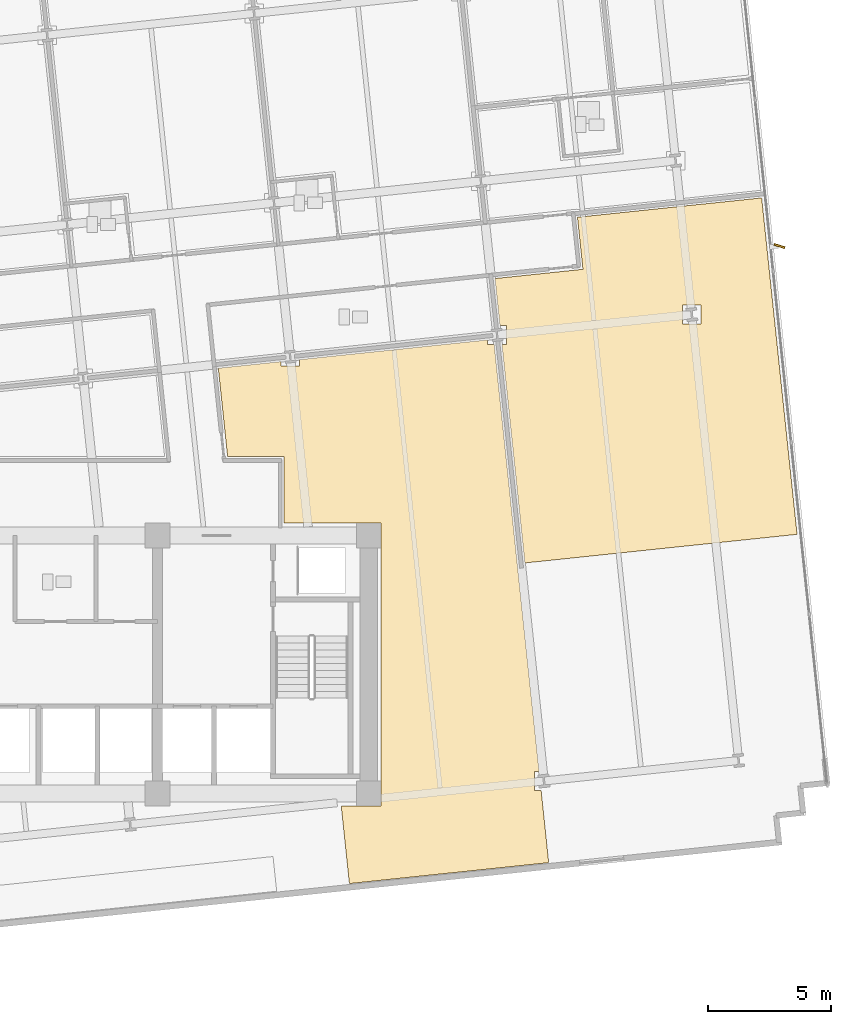
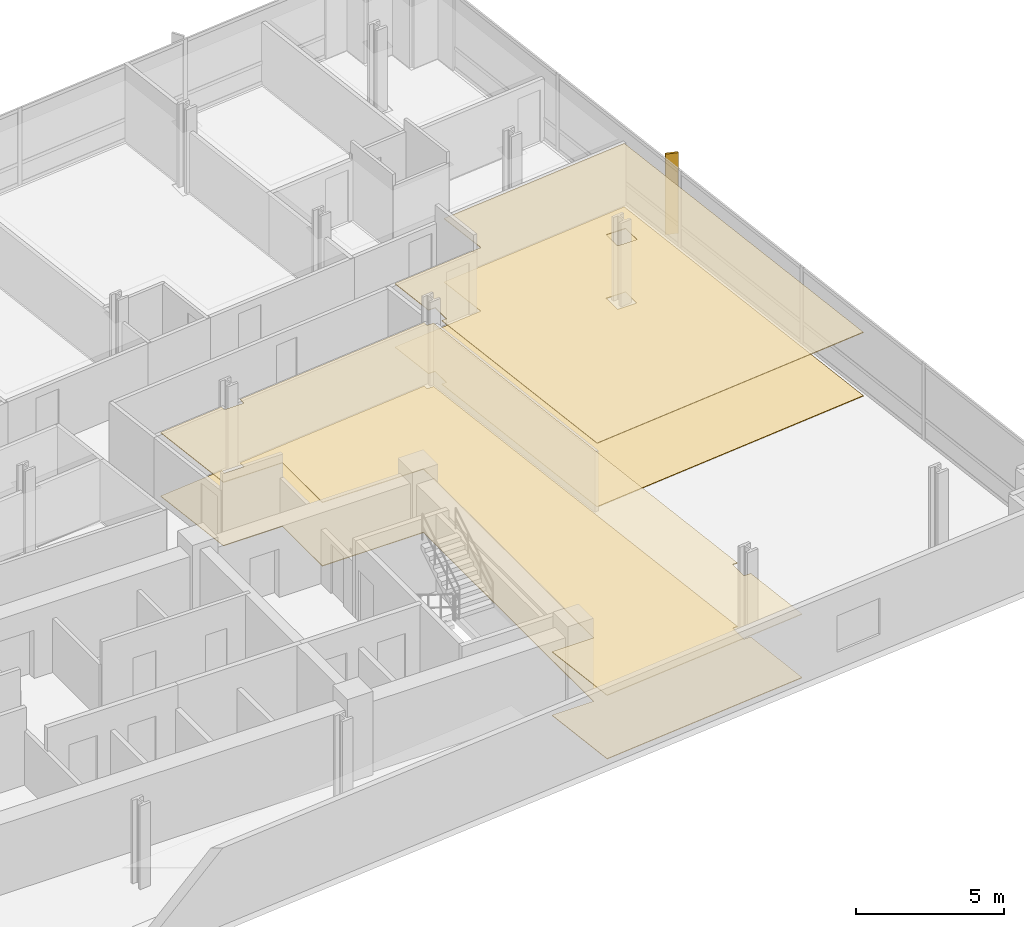
# One storey, part 16 of 18: 4 coverings, 1 shading device.
"""IFC4 building model written with IfcOpenShell, lengths in metres."""

from ifc_helpers import new_model, si_unit, direction, frame, origin, origin_2d, place, context, subcontext, project, spatial, polyline, rectangle, outline, extrude, material, layer, layer_set, type_object, element, save


model = new_model("IFC4")

# Units and contexts
model_context = context("Model", 3, precision=1e-05, world=origin(), true_north=direction((0.0, 1.0)))
body_context = subcontext(model_context, "Body", "Model", "MODEL_VIEW")
ifc_project = project(units=[si_unit("LENGTHUNIT", "METRE"), si_unit("AREAUNIT", "SQUARE_METRE"), si_unit("VOLUMEUNIT", "CUBIC_METRE"), si_unit("PLANEANGLEUNIT", "RADIAN"), si_unit("MASSUNIT", "GRAM", prefix="KILO")], contexts=[model_context])

# Site, building, storey
site_placement = place(None, origin())
site = spatial("IfcSite", under=ifc_project, at=site_placement, CompositionType="ELEMENT")
building_placement = place(site_placement, origin())
building = spatial("IfcBuilding", under=site, at=building_placement, Name="Solmavex Isthmus Hotel", CompositionType="ELEMENT")
storey_placement = place(building_placement, frame((0.0, 0.0, 123.60009765625)))
storey = spatial("IfcBuildingStorey", under=building, at=storey_placement, Name="L33", CompositionType="ELEMENT", Elevation=123.60009765625)

# Coverings
ifc_material_1 = material(Name="Gypsum plasterboard lining", Category="gypsum")
ifc_layer_1 = layer(ifc_material_1, 0.030029296875)
ifc_layer_set_1 = layer_set([ifc_layer_1], Name="Gypsum plasterboard lining")
covering_type_1 = type_object("IfcCoveringType", Name="COV-CEIL-GYP", PredefinedType="CEILING", material=ifc_layer_set_1)
covering_1_placement = place(storey_placement, frame((0.0, 0.0, 2.619873046875)))
element("IfcCovering", 1, at=covering_1_placement, inside=storey, type_object=covering_type_1, Name="Suspended Acoustic Ceiling L33-FL12", PredefinedType="CEILING", context=body_context, shape_type="SweptSolid", body=[
    extrude(outline(polyline([(21.335693359375, 6.038330078125), (21.599609375, 6.038330078125), (21.599609375, 5.2783203125), (21.41552734375, 5.2783203125), (21.93310546875, 0.353759765625), (22.3505859375, -3.619140625), (33.427734375, -2.455078125), (33.010009765625, 1.51806640625), (32.450927734375, 6.8388671875), (31.98828125, 11.239501953125), (24.49169921875, 10.45166015625), (24.71435546875, 8.333251953125), (21.134033203125, 7.95703125), (21.335693359375, 6.038330078125)]), holes=[polyline([(28.76416015625, 6.111328125), (28.76416015625, 6.871337890625), (29.524169921875, 6.871337890625), (29.524169921875, 6.111328125), (28.76416015625, 6.111328125)])]), origin(), (0.0, 0.0, 1.0), 0.030029296875),
])
covering_2_placement = place(storey_placement, frame((0.0, 0.0, 2.619873046875)))
element("IfcCovering", 2, at=covering_2_placement, inside=storey, type_object=covering_type_1, Name="Suspended Acoustic Ceiling L33-FL13", PredefinedType="CEILING", context=body_context, shape_type="SweptSolid", body=[
    extrude(outline(polyline([(13.18017578125, 4.657470703125), (13.18017578125, 4.393310546875), (12.420166015625, 4.393310546875), (12.420166015625, 4.57763671875), (9.87451171875, 4.31005859375), (10.25341796875, 0.705078125), (12.554931640625, 0.705078125), (12.554931640625, -1.9951171875), (16.5048828125, -1.9951171875), (16.5048828125, -13.5048828125), (14.877197265625, -13.5048828125), (15.044921875, -15.100830078125), (15.20947265625, -16.667236328125), (23.32080078125, -15.814697265625), (23.15625, -14.248291015625), (23.011474609375, -12.87158203125), (22.747314453125, -12.87158203125), (22.747314453125, -12.111572265625), (22.931640625, -12.111572265625), (21.103759765625, 5.2783203125), (20.83984375, 5.2783203125), (20.83984375, 5.462646484375), (13.18017578125, 4.657470703125)])), origin(), (0.0, 0.0, 1.0), 0.030029296875),
])
ifc_material_2 = material(Name="Travertine natural stone", Category="masonry")
ifc_layer_2 = layer(ifc_material_2, 0.02490234375)
ifc_layer_set_2 = layer_set([ifc_layer_2], Name="Travertine natural stone")
covering_type_2 = type_object("IfcCoveringType", Name="COV-FLOR-STN", PredefinedType="FLOORING", material=ifc_layer_set_2)
covering_3_placement = place(storey_placement, origin())
element("IfcCovering", 3, at=covering_3_placement, inside=storey, type_object=covering_type_2, Name="Stone and Timber Floor Finish L33-FL12", PredefinedType="FLOORING", context=body_context, shape_type="SweptSolid", body=[
    extrude(outline(polyline([(21.335693359375, 6.038330078125), (21.599609375, 6.038330078125), (21.599609375, 5.2783203125), (21.41552734375, 5.2783203125), (21.93310546875, 0.353759765625), (22.3505859375, -3.619140625), (33.427734375, -2.455078125), (33.010009765625, 1.51806640625), (32.450927734375, 6.8388671875), (31.98828125, 11.239501953125), (24.49169921875, 10.45166015625), (24.71435546875, 8.333251953125), (21.134033203125, 7.95703125), (21.335693359375, 6.038330078125)]), holes=[polyline([(28.76416015625, 6.111328125), (28.76416015625, 6.871337890625), (29.524169921875, 6.871337890625), (29.524169921875, 6.111328125), (28.76416015625, 6.111328125)])]), origin(), (0.0, 0.0, 1.0), 0.02490234375),
])
covering_4_placement = place(storey_placement, origin())
element("IfcCovering", 4, at=covering_4_placement, inside=storey, type_object=covering_type_2, Name="Stone and Timber Floor Finish L33-FL13", PredefinedType="FLOORING", context=body_context, shape_type="SweptSolid", body=[
    extrude(outline(polyline([(13.18017578125, 4.657470703125), (13.18017578125, 4.393310546875), (12.420166015625, 4.393310546875), (12.420166015625, 4.57763671875), (9.87451171875, 4.31005859375), (10.25341796875, 0.705078125), (12.554931640625, 0.705078125), (12.554931640625, -1.9951171875), (16.5048828125, -1.9951171875), (16.5048828125, -13.5048828125), (14.877197265625, -13.5048828125), (15.044921875, -15.100830078125), (15.20947265625, -16.667236328125), (23.32080078125, -15.814697265625), (23.15625, -14.248291015625), (23.011474609375, -12.87158203125), (22.747314453125, -12.87158203125), (22.747314453125, -12.111572265625), (22.931640625, -12.111572265625), (21.103759765625, 5.2783203125), (20.83984375, 5.2783203125), (20.83984375, 5.462646484375), (13.18017578125, 4.657470703125)])), origin(), (0.0, 0.0, 1.0), 0.02490234375),
])

# Shading device
ifc_material_3 = material(Name="Aluminium alloy 6063-T6", Category="aluminium")
shading_device_type = type_object("IfcShadingDeviceType", Name="SHD-FIN-BRONZE", PredefinedType="USERDEFINED", material=ifc_material_3)
shading_device_placement = place(storey_placement, frame((32.712158203125, 9.279541015625, -0.14013671875), z_axis=(0.0, 0.0, 1.0), x_axis=(0.951056516295, -0.309016994375, 0.0)))
element("IfcShadingDevice", 5, at=shading_device_placement, inside=storey, type_object=shading_device_type, Name="Anodised Aluminium Solar Fin L33-E1", ObjectType="SOLAR_FIN", PredefinedType="USERDEFINED", context=body_context, shape_type="SweptSolid", body=[
    extrude(rectangle(XDim=0.449951171875, YDim=0.080078125, at=origin_2d()), origin(), (0.0, 0.0, 1.0), 3.330078125),
])

save(model, "model.ifc")
